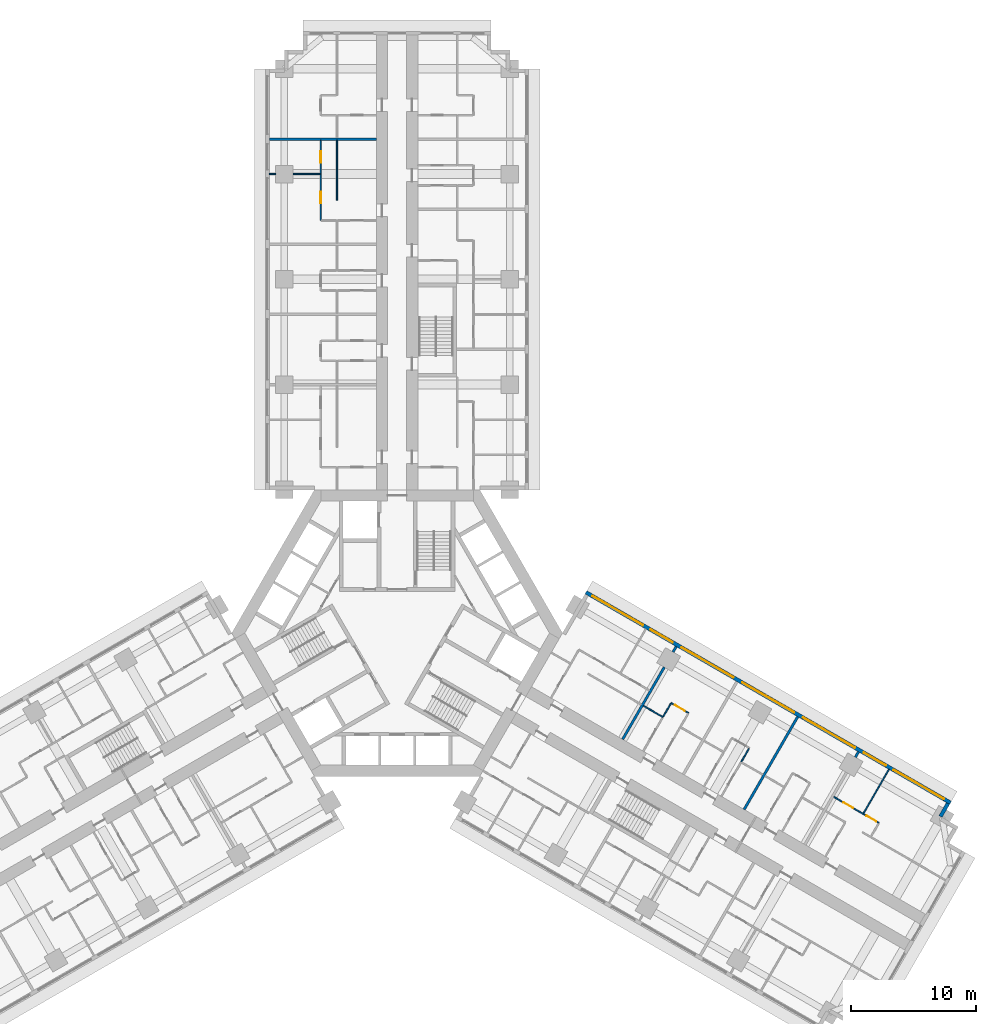
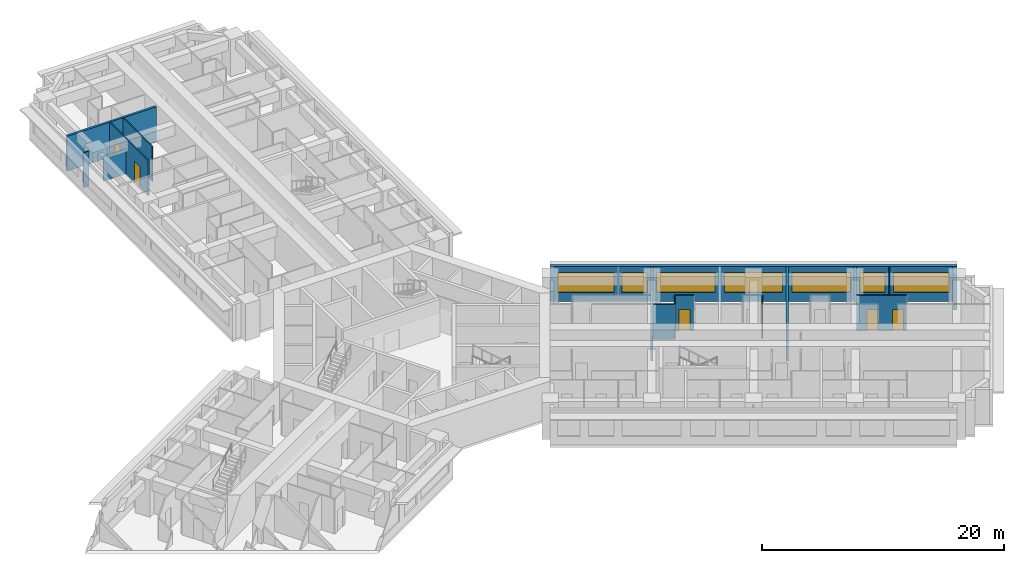
# One storey, part 13 of 16: 17 walls, 7 windows, 5 doors, 12 openings.
"""IFC4 building model written with IfcOpenShell, lengths in metres."""

from ifc_helpers import new_model, si_unit, direction, frame, frame_2d, origin, place, context, subcontext, project, spatial, rectangle, extrude, material, layer, layer_set, type_object, element, fill, save


model = new_model("IFC4")

# Units and contexts
model_context = context("Model", 3, precision=1e-05, world=origin(), true_north=direction((0.0, 1.0)))
body_context = subcontext(model_context, "Body", "Model", "MODEL_VIEW")
ifc_project = project(units=[si_unit("LENGTHUNIT", "METRE"), si_unit("AREAUNIT", "SQUARE_METRE"), si_unit("VOLUMEUNIT", "CUBIC_METRE"), si_unit("PLANEANGLEUNIT", "RADIAN"), si_unit("MASSUNIT", "GRAM", prefix="KILO")], contexts=[model_context])

# Site, building, storey
site_placement = place(None, origin())
site = spatial("IfcSite", under=ifc_project, at=site_placement, CompositionType="ELEMENT")
building_placement = place(site_placement, origin())
building = spatial("IfcBuilding", under=site, at=building_placement, Name="Impinga Residences", CompositionType="ELEMENT")
storey_placement = place(building_placement, frame((0.0, 0.0, 59.75)))
storey = spatial("IfcBuildingStorey", under=building, at=storey_placement, Name="L14", CompositionType="ELEMENT", Elevation=59.75)

# Wall, openings, windows
ifc_material_1 = material(Name="Terracotta rainscreen on blockwork", Category="masonry")
ifc_layer_1 = layer(ifc_material_1, 0.300048828125)
ifc_layer_set_1 = layer_set([ifc_layer_1], Name="EW1 external wall, terracotta rainscreen on blockwork 300")
wall_type_1 = type_object("IfcWallType", Name="EW1 external wall, terracotta rainscreen on blockwork 300", PredefinedType="SOLIDWALL", material=ifc_layer_set_1)
wall_1_placement = place(storey_placement, frame((15.074951171875, 3.24755859375, 0.0), z_axis=(0.0, 0.0, 1.0), x_axis=(0.866024291668, -0.500001926238, 0.0)))
wall_1 = element("IfcWall", 1, at=wall_1_placement, inside=storey, type_object=wall_type_1, Name="External wall EW1 L14", PredefinedType="SOLIDWALL", context=body_context, shape_type="SweptSolid", body=[
    extrude(rectangle(XDim=33.599853515625, YDim=0.300048828125, at=frame_2d((16.7998046875, 0.0))), origin(), (0.0, 0.0, 1.0), 3.530029296875),
])
opening_1_placement = place(wall_1_placement, frame((0.60009765625, 0.0, 0.89990234375)))
opening_1 = element("IfcOpeningElement", 2, at=opening_1_placement, cuts=wall_1, Name="Opening W10", PredefinedType="OPENING", context=body_context, shape_type="SweptSolid", body=[
    extrude(rectangle(XDim=4.64990234375, YDim=2.050048828125, at=frame_2d((2.324951171875, 1.02490234375))), frame((0.0, 0.159912109375, 0.0), z_axis=(0.0, -1.0, 0.0), x_axis=(1.0, 0.0, 0.0)), (0.0, 0.0, 1.0), 0.320068359375),
])
opening_2_placement = place(wall_1_placement, frame((5.949951171875, 0.0, 0.89990234375)))
opening_2 = element("IfcOpeningElement", 3, at=opening_2_placement, cuts=wall_1, Name="Opening W14", PredefinedType="OPENING", context=body_context, shape_type="SweptSolid", body=[
    extrude(rectangle(XDim=2.050048828125, YDim=2.050048828125, at=frame_2d((1.02490234375, 1.02490234375))), frame((0.0, 0.159912109375, 0.0), z_axis=(0.0, -1.0, 0.0), x_axis=(1.0, 0.0, 0.0)), (0.0, 0.0, 1.0), 0.320068359375),
])
opening_3_placement = place(wall_1_placement, frame((8.800048828125, 0.0, 0.89990234375)))
opening_3 = element("IfcOpeningElement", 4, at=opening_3_placement, cuts=wall_1, Name="Opening W8", PredefinedType="OPENING", context=body_context, shape_type="SweptSolid", body=[
    extrude(rectangle(XDim=4.800048828125, YDim=2.050048828125, at=frame_2d((2.39990234375, 1.02490234375))), frame((0.0, 0.159912109375, 0.0), z_axis=(0.0, -1.0, 0.0), x_axis=(1.0, 0.0, 0.0)), (0.0, 0.0, 1.0), 0.320068359375),
])
opening_4_placement = place(wall_1_placement, frame((14.39990234375, 0.0, 0.89990234375)))
opening_4 = element("IfcOpeningElement", 5, at=opening_4_placement, cuts=wall_1, Name="Opening W8", PredefinedType="OPENING", context=body_context, shape_type="SweptSolid", body=[
    extrude(rectangle(XDim=4.800048828125, YDim=2.050048828125, at=frame_2d((2.39990234375, 1.02490234375))), frame((0.0, 0.159912109375, 0.0), z_axis=(0.0, -1.0, 0.0), x_axis=(1.0, 0.0, 0.0)), (0.0, 0.0, 1.0), 0.320068359375),
])
opening_5_placement = place(wall_1_placement, frame((20.0, 0.0, 0.89990234375)))
opening_5 = element("IfcOpeningElement", 6, at=opening_5_placement, cuts=wall_1, Name="Opening W8", PredefinedType="OPENING", context=body_context, shape_type="SweptSolid", body=[
    extrude(rectangle(XDim=4.800048828125, YDim=2.050048828125, at=frame_2d((2.39990234375, 1.02490234375))), frame((0.0, 0.159912109375, 0.0), z_axis=(0.0, -1.0, 0.0), x_axis=(1.0, 0.0, 0.0)), (0.0, 0.0, 1.0), 0.320068359375),
])
opening_6_placement = place(wall_1_placement, frame((25.60009765625, 0.0, 0.89990234375)))
opening_6 = element("IfcOpeningElement", 7, at=opening_6_placement, cuts=wall_1, Name="Opening W14", PredefinedType="OPENING", context=body_context, shape_type="SweptSolid", body=[
    extrude(rectangle(XDim=2.050048828125, YDim=2.050048828125, at=frame_2d((1.02490234375, 1.02490234375))), frame((0.0, 0.159912109375, 0.0), z_axis=(0.0, -1.0, 0.0), x_axis=(1.0, 0.0, 0.0)), (0.0, 0.0, 1.0), 0.320068359375),
])
opening_7_placement = place(wall_1_placement, frame((28.35009765625, 0.0, 0.89990234375)))
opening_7 = element("IfcOpeningElement", 8, at=opening_7_placement, cuts=wall_1, Name="Opening W10", PredefinedType="OPENING", context=body_context, shape_type="SweptSolid", body=[
    extrude(rectangle(XDim=4.64990234375, YDim=2.050048828125, at=frame_2d((2.324951171875, 1.02490234375))), frame((0.0, 0.159912109375, 0.0), z_axis=(0.0, -1.0, 0.0), x_axis=(1.0, 0.0, 0.0)), (0.0, 0.0, 1.0), 0.320068359375),
])
ifc_material_2 = material(Name="Aluminium window, clear double glazing", Category="aluminium")
window_type_1 = type_object("IfcWindowType", Name="W10 ribbon window 4650x2050", PartitioningType="SINGLE_PANEL", PredefinedType="WINDOW", material=ifc_material_2)
window_1_placement = place(opening_1_placement, origin())
window_1 = element("IfcWindow", 9, at=window_1_placement, inside=storey, type_object=window_type_1, Name="Window L14", OverallHeight=2.050048828125, OverallWidth=4.64990234375, PartitioningType="SINGLE_PANEL", PredefinedType="WINDOW", context=body_context, shape_type="SweptSolid", body=[
    extrude(rectangle(XDim=4.64990234375, YDim=2.050048828125, at=frame_2d((2.324951171875, 1.02490234375))), frame((0.0, 0.030029296875, 0.0), z_axis=(0.0, -1.0, 0.0), x_axis=(1.0, 0.0, 0.0)), (0.0, 0.0, 1.0), 0.06005859375),
])
fill(opening_1, window_1)
window_2_placement = place(opening_7_placement, origin())
window_2 = element("IfcWindow", 10, at=window_2_placement, inside=storey, type_object=window_type_1, Name="Window L14", OverallHeight=2.050048828125, OverallWidth=4.64990234375, PartitioningType="SINGLE_PANEL", PredefinedType="WINDOW", context=body_context, shape_type="SweptSolid", body=[
    extrude(rectangle(XDim=4.64990234375, YDim=2.050048828125, at=frame_2d((2.324951171875, 1.02490234375))), frame((0.0, 0.030029296875, 0.0), z_axis=(0.0, -1.0, 0.0), x_axis=(1.0, 0.0, 0.0)), (0.0, 0.0, 1.0), 0.06005859375),
])
fill(opening_7, window_2)
window_type_2 = type_object("IfcWindowType", Name="W14 ribbon window 2050x2050", PartitioningType="SINGLE_PANEL", PredefinedType="WINDOW", material=ifc_material_2)
window_3_placement = place(opening_2_placement, origin())
window_3 = element("IfcWindow", 11, at=window_3_placement, inside=storey, type_object=window_type_2, Name="Window L14", OverallHeight=2.050048828125, OverallWidth=2.050048828125, PartitioningType="SINGLE_PANEL", PredefinedType="WINDOW", context=body_context, shape_type="SweptSolid", body=[
    extrude(rectangle(XDim=2.050048828125, YDim=2.050048828125, at=frame_2d((1.02490234375, 1.02490234375))), frame((0.0, 0.030029296875, 0.0), z_axis=(0.0, -1.0, 0.0), x_axis=(1.0, 0.0, 0.0)), (0.0, 0.0, 1.0), 0.06005859375),
])
fill(opening_2, window_3)
window_4_placement = place(opening_6_placement, origin())
window_4 = element("IfcWindow", 12, at=window_4_placement, inside=storey, type_object=window_type_2, Name="Window L14", OverallHeight=2.050048828125, OverallWidth=2.050048828125, PartitioningType="SINGLE_PANEL", PredefinedType="WINDOW", context=body_context, shape_type="SweptSolid", body=[
    extrude(rectangle(XDim=2.050048828125, YDim=2.050048828125, at=frame_2d((1.02490234375, 1.02490234375))), frame((0.0, 0.030029296875, 0.0), z_axis=(0.0, -1.0, 0.0), x_axis=(1.0, 0.0, 0.0)), (0.0, 0.0, 1.0), 0.06005859375),
])
fill(opening_6, window_4)
window_type_3 = type_object("IfcWindowType", Name="W8 ribbon window 4800x2050", PartitioningType="SINGLE_PANEL", PredefinedType="WINDOW", material=ifc_material_2)
window_5_placement = place(opening_3_placement, origin())
window_5 = element("IfcWindow", 13, at=window_5_placement, inside=storey, type_object=window_type_3, Name="Window L14", OverallHeight=2.050048828125, OverallWidth=4.800048828125, PartitioningType="SINGLE_PANEL", PredefinedType="WINDOW", context=body_context, shape_type="SweptSolid", body=[
    extrude(rectangle(XDim=4.800048828125, YDim=2.050048828125, at=frame_2d((2.39990234375, 1.02490234375))), frame((0.0, 0.030029296875, 0.0), z_axis=(0.0, -1.0, 0.0), x_axis=(1.0, 0.0, 0.0)), (0.0, 0.0, 1.0), 0.06005859375),
])
fill(opening_3, window_5)
window_6_placement = place(opening_4_placement, origin())
window_6 = element("IfcWindow", 14, at=window_6_placement, inside=storey, type_object=window_type_3, Name="Window L14", OverallHeight=2.050048828125, OverallWidth=4.800048828125, PartitioningType="SINGLE_PANEL", PredefinedType="WINDOW", context=body_context, shape_type="SweptSolid", body=[
    extrude(rectangle(XDim=4.800048828125, YDim=2.050048828125, at=frame_2d((2.39990234375, 1.02490234375))), frame((0.0, 0.030029296875, 0.0), z_axis=(0.0, -1.0, 0.0), x_axis=(1.0, 0.0, 0.0)), (0.0, 0.0, 1.0), 0.06005859375),
])
fill(opening_4, window_6)
window_7_placement = place(opening_5_placement, origin())
window_7 = element("IfcWindow", 15, at=window_7_placement, inside=storey, type_object=window_type_3, Name="Window L14", OverallHeight=2.050048828125, OverallWidth=4.800048828125, PartitioningType="SINGLE_PANEL", PredefinedType="WINDOW", context=body_context, shape_type="SweptSolid", body=[
    extrude(rectangle(XDim=4.800048828125, YDim=2.050048828125, at=frame_2d((2.39990234375, 1.02490234375))), frame((0.0, 0.030029296875, 0.0), z_axis=(0.0, -1.0, 0.0), x_axis=(1.0, 0.0, 0.0)), (0.0, 0.0, 1.0), 0.06005859375),
])
fill(opening_5, window_7)

# Walls
wall_2_placement = place(storey_placement, frame((43.968505859375, -13.607421875, 0.0), z_axis=(0.0, 0.0, 1.0), x_axis=(-0.500029051137, -0.866008630453, 0.0)))
element("IfcWall", 16, at=wall_2_placement, inside=storey, type_object=wall_type_1, Name="External wall EW1 L14", PredefinedType="SOLIDWALL", context=body_context, shape_type="SweptSolid", body=[
    extrude(rectangle(XDim=1.19482421875, YDim=0.300048828125, at=frame_2d((0.597412109375, 0.0))), origin(), (0.0, 0.0, 1.0), 3.530029296875),
])
ifc_material_3 = material(Name="Gypsum board on steel studs", Category="steel")
ifc_layer_2 = layer(ifc_material_3, 0.10009765625)
ifc_layer_set_2 = layer_set([ifc_layer_2], Name="Gypsum board on steel studs")
wall_type_2 = type_object("IfcWallType", Name="IP1 partition 100", PredefinedType="PARTITIONING", material=ifc_layer_set_2)
wall_3_placement = place(storey_placement, frame((-4.800048828125, 34.531494140625, 0.0), z_axis=(0.0, 0.0, 1.0), x_axis=(0.0, 1.0, 0.0)))
element("IfcWall", 17, at=wall_3_placement, inside=storey, type_object=wall_type_2, Name="Partition L14-NA4:DIV1", PredefinedType="PARTITIONING", context=body_context, shape_type="SweptSolid", body=[
    extrude(rectangle(XDim=4.800048828125, YDim=0.10009765625, at=frame_2d((2.39990234375, 0.0))), origin(), (0.0, 0.0, 1.0), 3.530029296875),
])

# Wall, openings, doors
wall_4_placement = place(storey_placement, frame((-6.10009765625, 32.931640625, 0.0), z_axis=(0.0, 0.0, 1.0), x_axis=(0.0, 1.0, 0.0)))
wall_4 = element("IfcWall", 18, at=wall_4_placement, inside=storey, type_object=wall_type_2, Name="Partition L14-NA4:STRIP", PredefinedType="PARTITIONING", context=body_context, shape_type="SweptSolid", body=[
    extrude(rectangle(XDim=6.39990234375, YDim=0.10009765625, at=frame_2d((3.199951171875, 0.0))), origin(), (0.0, 0.0, 1.0), 3.530029296875),
])
opening_8_placement = place(wall_4_placement, frame((1.375, 0.0, 0.0)))
opening_8 = element("IfcOpeningElement", 19, at=opening_8_placement, cuts=wall_4, Name="Opening D2", PredefinedType="OPENING", context=body_context, shape_type="SweptSolid", body=[
    extrude(rectangle(XDim=0.89990234375, YDim=2.10009765625, at=frame_2d((0.449951171875, 1.050048828125))), frame((0.0, 0.06005859375, 0.0), z_axis=(0.0, -1.0, 0.0), x_axis=(1.0, 0.0, 0.0)), (0.0, 0.0, 1.0), 0.1201171875),
])
opening_9_placement = place(wall_4_placement, frame((4.625, 0.0, 0.0)))
opening_9 = element("IfcOpeningElement", 20, at=opening_9_placement, cuts=wall_4, Name="Opening D2", PredefinedType="OPENING", context=body_context, shape_type="SweptSolid", body=[
    extrude(rectangle(XDim=0.89990234375, YDim=2.10009765625, at=frame_2d((0.449951171875, 1.050048828125))), frame((0.0, 0.06005859375, 0.0), z_axis=(0.0, -1.0, 0.0), x_axis=(1.0, 0.0, 0.0)), (0.0, 0.0, 1.0), 0.1201171875),
])
ifc_material_4 = material(Name="Timber door set", Category="wood")
door_type = type_object("IfcDoorType", Name="D2 internal door 900x2100", OperationType="SINGLE_SWING_LEFT", PredefinedType="DOOR", material=ifc_material_4)
door_1_placement = place(opening_8_placement, origin())
door_1 = element("IfcDoor", 21, at=door_1_placement, inside=storey, type_object=door_type, Name="Apartment L14-NA4 room door", OperationType="SINGLE_SWING_LEFT", OverallHeight=2.10009765625, OverallWidth=0.89990234375, PredefinedType="DOOR", context=body_context, shape_type="SweptSolid", body=[
    extrude(rectangle(XDim=0.89990234375, YDim=2.10009765625, at=frame_2d((0.449951171875, 1.050048828125))), frame((0.0, 0.02490234375, 0.0), z_axis=(0.0, -1.0, 0.0), x_axis=(1.0, 0.0, 0.0)), (0.0, 0.0, 1.0), 0.050048828125),
])
fill(opening_8, door_1)
door_2_placement = place(opening_9_placement, origin())
door_2 = element("IfcDoor", 22, at=door_2_placement, inside=storey, type_object=door_type, Name="Apartment L14-NA4 room door", OperationType="SINGLE_SWING_RIGHT", OverallHeight=2.10009765625, OverallWidth=0.89990234375, PredefinedType="DOOR", context=body_context, shape_type="SweptSolid", body=[
    extrude(rectangle(XDim=0.89990234375, YDim=2.10009765625, at=frame_2d((0.449951171875, 1.050048828125))), frame((0.0, 0.02490234375, 0.0), z_axis=(0.0, -1.0, 0.0), x_axis=(1.0, 0.0, 0.0)), (0.0, 0.0, 1.0), 0.050048828125),
])
fill(opening_9, door_2)

# Walls
wall_5_placement = place(storey_placement, frame((-6.14990234375, 36.631591796875, 0.0), z_axis=(0.0, 0.0, 1.0), x_axis=(-1.0, 0.0, 0.0)))
element("IfcWall", 23, at=wall_5_placement, inside=storey, type_object=wall_type_2, Name="Partition L14-NA4:OB1", PredefinedType="PARTITIONING", context=body_context, shape_type="SweptSolid", body=[
    extrude(rectangle(XDim=2.150146484375, YDim=0.10009765625, at=frame_2d((1.0751953125, 0.0))), origin(), (0.0, 0.0, 1.0), 2.47998046875),
])
wall_6_placement = place(storey_placement, frame((-9.699951171875, 36.631591796875, 0.0), z_axis=(0.0, 0.0, 1.0), x_axis=(-1.0, 0.0, 0.0)))
element("IfcWall", 24, at=wall_6_placement, inside=storey, type_object=wall_type_2, Name="Partition L14-NA4:OB1b", PredefinedType="PARTITIONING", context=body_context, shape_type="SweptSolid", body=[
    extrude(rectangle(XDim=0.5, YDim=0.10009765625, at=frame_2d((0.25, 0.0))), origin(), (0.0, 0.0, 1.0), 3.530029296875),
])
wall_7_placement = place(storey_placement, frame((19.6611328125, -5.808837890625, 0.0), z_axis=(0.0, 0.0, 1.0), x_axis=(0.866047807691, -0.499961193289, 0.0)))
element("IfcWall", 25, at=wall_7_placement, inside=storey, type_object=wall_type_2, Name="Partition L14-EA2:DIV0", PredefinedType="PARTITIONING", context=body_context, shape_type="SweptSolid", body=[
    extrude(rectangle(XDim=1.800048828125, YDim=0.10009765625, at=frame_2d((0.89990234375, 0.0))), origin(), (0.0, 0.0, 1.0), 3.530029296875),
])

# Wall, opening, door
wall_8_placement = place(storey_placement, frame((21.8701171875, -5.5830078125, 0.0), z_axis=(0.0, 0.0, 1.0), x_axis=(0.865989903783, -0.500061482766, 0.0)))
wall_8 = element("IfcWall", 26, at=wall_8_placement, inside=storey, type_object=wall_type_2, Name="Partition L14-EA2:STRIP", PredefinedType="PARTITIONING", context=body_context, shape_type="SweptSolid", body=[
    extrude(rectangle(XDim=1.599853515625, YDim=0.10009765625, at=frame_2d((0.7998046875, 0.0))), origin(), (0.0, 0.0, 1.0), 3.530029296875),
])
opening_10_placement = place(wall_8_placement, frame((0.35009765625, 0.0, 0.0)))
opening_10 = element("IfcOpeningElement", 27, at=opening_10_placement, cuts=wall_8, Name="Opening D2", PredefinedType="OPENING", context=body_context, shape_type="SweptSolid", body=[
    extrude(rectangle(XDim=0.89990234375, YDim=2.10009765625, at=frame_2d((0.449951171875, 1.050048828125))), frame((0.0, 0.06005859375, 0.0), z_axis=(0.0, -1.0, 0.0), x_axis=(1.0, 0.0, 0.0)), (0.0, 0.0, 1.0), 0.1201171875),
])
door_3_placement = place(opening_10_placement, origin())
door_3 = element("IfcDoor", 28, at=door_3_placement, inside=storey, type_object=door_type, Name="Apartment L14-EA2 room door", OperationType="SINGLE_SWING_LEFT", OverallHeight=2.10009765625, OverallWidth=0.89990234375, PredefinedType="DOOR", context=body_context, shape_type="SweptSolid", body=[
    extrude(rectangle(XDim=0.89990234375, YDim=2.10009765625, at=frame_2d((0.449951171875, 1.050048828125))), frame((0.0, 0.02490234375, 0.0), z_axis=(0.0, -1.0, 0.0), x_axis=(1.0, 0.0, 0.0)), (0.0, 0.0, 1.0), 0.050048828125),
])
fill(opening_10, door_3)

# Walls
wall_9_placement = place(storey_placement, frame((21.2451171875, -6.66552734375, 0.0), z_axis=(0.0, 0.0, 1.0), x_axis=(0.499880961361, 0.866094119867, 0.0)))
element("IfcWall", 29, at=wall_9_placement, inside=storey, type_object=wall_type_2, Name="Partition L14-EA2:SE0", PredefinedType="PARTITIONING", context=body_context, shape_type="SweptSolid", body=[
    extrude(rectangle(XDim=1.199951171875, YDim=0.10009765625, at=frame_2d((0.60009765625, 0.0))), origin(), (0.0, 0.0, 1.0), 3.530029296875),
])
wall_10_placement = place(storey_placement, frame((27.48046875, -10.265625, 0.0), z_axis=(0.0, 0.0, 1.0), x_axis=(0.500033551112, 0.866006032174, 0.0)))
element("IfcWall", 30, at=wall_10_placement, inside=storey, type_object=wall_type_2, Name="Partition L14-EA3:SE1", PredefinedType="PARTITIONING", context=body_context, shape_type="SweptSolid", body=[
    extrude(rectangle(XDim=1.2001953125, YDim=0.10009765625, at=frame_2d((0.60009765625, 0.0))), origin(), (0.0, 0.0, 1.0), 3.530029296875),
])

# Wall, openings, doors
wall_11_placement = place(storey_placement, frame((34.8603515625, -13.0830078125, 0.0), z_axis=(0.0, 0.0, 1.0), x_axis=(0.86602981871, -0.499992353047, 0.0)))
wall_11 = element("IfcWall", 31, at=wall_11_placement, inside=storey, type_object=wall_type_2, Name="Partition L14-EA5:STRIP", PredefinedType="PARTITIONING", context=body_context, shape_type="SweptSolid", body=[
    extrude(rectangle(XDim=4.14990234375, YDim=0.10009765625, at=frame_2d((2.074951171875, 0.0))), origin(), (0.0, 0.0, 1.0), 3.530029296875),
])
opening_11_placement = place(wall_11_placement, frame((0.875, 0.0, 0.0)))
opening_11 = element("IfcOpeningElement", 32, at=opening_11_placement, cuts=wall_11, Name="Opening D2", PredefinedType="OPENING", context=body_context, shape_type="SweptSolid", body=[
    extrude(rectangle(XDim=0.89990234375, YDim=2.10009765625, at=frame_2d((0.449951171875, 1.050048828125))), frame((0.0, 0.06005859375, 0.0), z_axis=(0.0, -1.0, 0.0), x_axis=(1.0, 0.0, 0.0)), (0.0, 0.0, 1.0), 0.1201171875),
])
opening_12_placement = place(wall_11_placement, frame((3.0, 0.0, 0.0)))
opening_12 = element("IfcOpeningElement", 33, at=opening_12_placement, cuts=wall_11, Name="Opening D2", PredefinedType="OPENING", context=body_context, shape_type="SweptSolid", body=[
    extrude(rectangle(XDim=0.89990234375, YDim=2.10009765625, at=frame_2d((0.449951171875, 1.050048828125))), frame((0.0, 0.06005859375, 0.0), z_axis=(0.0, -1.0, 0.0), x_axis=(1.0, 0.0, 0.0)), (0.0, 0.0, 1.0), 0.1201171875),
])
door_4_placement = place(opening_11_placement, origin())
door_4 = element("IfcDoor", 34, at=door_4_placement, inside=storey, type_object=door_type, Name="Apartment L14-EA5 room door", OperationType="SINGLE_SWING_LEFT", OverallHeight=2.10009765625, OverallWidth=0.89990234375, PredefinedType="DOOR", context=body_context, shape_type="SweptSolid", body=[
    extrude(rectangle(XDim=0.89990234375, YDim=2.10009765625, at=frame_2d((0.449951171875, 1.050048828125))), frame((0.0, 0.02490234375, 0.0), z_axis=(0.0, -1.0, 0.0), x_axis=(1.0, 0.0, 0.0)), (0.0, 0.0, 1.0), 0.050048828125),
])
fill(opening_11, door_4)
door_5_placement = place(opening_12_placement, origin())
door_5 = element("IfcDoor", 35, at=door_5_placement, inside=storey, type_object=door_type, Name="Apartment L14-EA5 room door", OperationType="SINGLE_SWING_RIGHT", OverallHeight=2.10009765625, OverallWidth=0.89990234375, PredefinedType="DOOR", context=body_context, shape_type="SweptSolid", body=[
    extrude(rectangle(XDim=0.89990234375, YDim=2.10009765625, at=frame_2d((0.449951171875, 1.050048828125))), frame((0.0, 0.02490234375, 0.0), z_axis=(0.0, -1.0, 0.0), x_axis=(1.0, 0.0, 0.0)), (0.0, 0.0, 1.0), 0.050048828125),
])
fill(opening_12, door_5)

# Walls
wall_12_placement = place(storey_placement, frame((37.2236328125, -14.3896484375, 0.0), z_axis=(0.0, 0.0, 1.0), x_axis=(0.500035537042, 0.866004885491, 0.0)))
element("IfcWall", 36, at=wall_12_placement, inside=storey, type_object=wall_type_2, Name="Partition L14-EA5:OB1", PredefinedType="PARTITIONING", context=body_context, shape_type="SweptSolid", body=[
    extrude(rectangle(XDim=4.050048828125, YDim=0.10009765625, at=frame_2d((2.02490234375, 0.0))), origin(), (0.0, 0.0, 1.0), 3.530029296875),
])
ifc_material_5 = material(Name="Concrete blockwork", Category="masonry")
ifc_layer_3 = layer(ifc_material_5, 0.199951171875)
ifc_layer_set_3 = layer_set([ifc_layer_3], Name="PW1 party wall between apartments 200")
wall_type_3 = type_object("IfcWallType", Name="PW1 party wall between apartments 200", PredefinedType="SOLIDWALL", material=ifc_layer_set_3)
wall_13_placement = place(storey_placement, frame((-1.64990234375, 39.431640625, 0.0), z_axis=(0.0, 0.0, 1.0), x_axis=(-1.0, 0.0, 0.0)))
element("IfcWall", 37, at=wall_13_placement, inside=storey, type_object=wall_type_3, Name="Party wall between apartments L14-NA4:PARTY", PredefinedType="SOLIDWALL", context=body_context, shape_type="SweptSolid", body=[
    extrude(rectangle(XDim=8.550048828125, YDim=0.199951171875, at=frame_2d((4.27490234375, 0.0))), origin(), (0.0, 0.0, 1.0), 3.530029296875),
])
wall_14_placement = place(storey_placement, frame((17.99951171875, -8.48681640625, 0.0), z_axis=(0.0, 0.0, 1.0), x_axis=(0.500024353964, 0.86601134256, 0.0)))
element("IfcWall", 38, at=wall_14_placement, inside=storey, type_object=wall_type_3, Name="Party wall between apartments L14-EA1:PARTY", PredefinedType="SOLIDWALL", context=body_context, shape_type="SweptSolid", body=[
    extrude(rectangle(XDim=6.650146484375, YDim=0.199951171875, at=frame_2d((3.3251953125, 0.0))), origin(), (0.0, 0.0, 1.0), 2.47998046875),
])
wall_15_placement = place(storey_placement, frame((22.024658203125, -1.515380859375, 0.0), z_axis=(0.0, 0.0, 1.0), x_axis=(0.499919672301, 0.866071776036, 0.0)))
element("IfcWall", 39, at=wall_15_placement, inside=storey, type_object=wall_type_3, Name="Party wall between apartments L14-EA1:PARTYb", PredefinedType="SOLIDWALL", context=body_context, shape_type="SweptSolid", body=[
    extrude(rectangle(XDim=0.5, YDim=0.199951171875, at=frame_2d((0.25, 0.0))), origin(), (0.0, 0.0, 1.0), 3.530029296875),
])
wall_16_placement = place(storey_placement, frame((27.69921875, -14.0869140625, 0.0), z_axis=(0.0, 0.0, 1.0), x_axis=(0.499990227581, 0.86603104582, 0.0)))
element("IfcWall", 40, at=wall_16_placement, inside=storey, type_object=wall_type_3, Name="Party wall between apartments L14-EA3:PARTY", PredefinedType="SOLIDWALL", context=body_context, shape_type="SweptSolid", body=[
    extrude(rectangle(XDim=8.550048828125, YDim=0.199951171875, at=frame_2d((4.27490234375, 0.0))), origin(), (0.0, 0.0, 1.0), 3.530029296875),
])
wall_17_placement = place(storey_placement, frame((36.57373046875, -9.915283203125, 0.0), z_axis=(0.0, 0.0, 1.0), x_axis=(0.500131122175, 0.865949687125, 0.0)))
element("IfcWall", 41, at=wall_17_placement, inside=storey, type_object=wall_type_3, Name="Party wall between apartments L14-EA4:PARTYb", PredefinedType="SOLIDWALL", context=body_context, shape_type="SweptSolid", body=[
    extrude(rectangle(XDim=0.499755859375, YDim=0.199951171875, at=frame_2d((0.25, 0.0))), origin(), (0.0, 0.0, 1.0), 3.530029296875),
])

save(model, "model.ifc")
